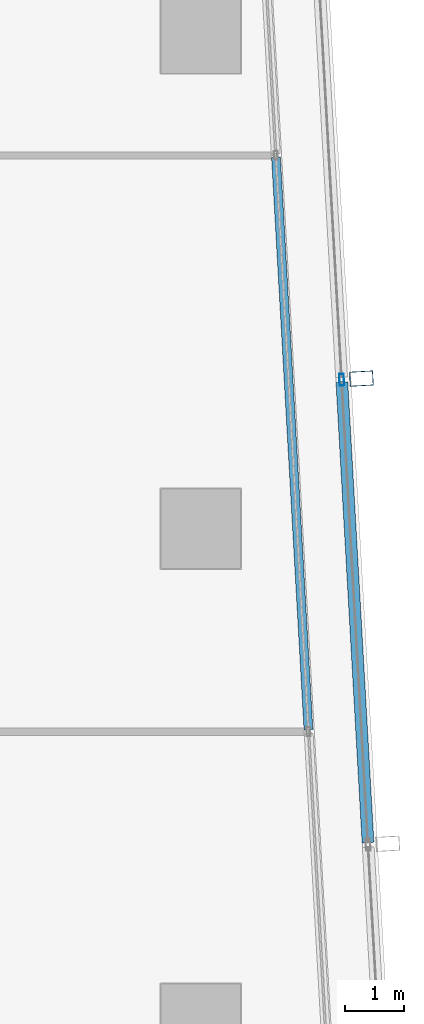
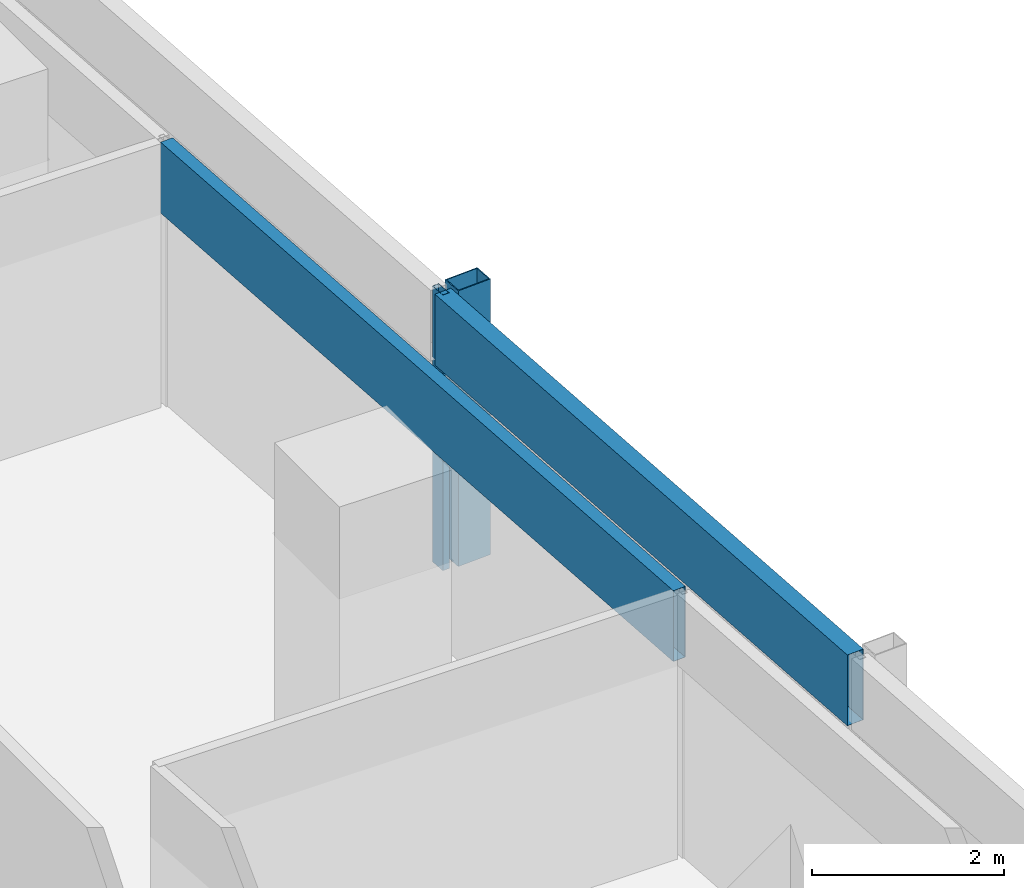
# One storey, part 14 of 39: 4 members, 2 elements without a shape of their own.
"""IFC4 building model written with IfcOpenShell, lengths in metres."""

import ifcopenshell
import ifcopenshell.guid

model = None  # the IFC model being written
_history = None  # IfcOwnerHistory: only IFC2X3 demands one
_inside = {}  # id of a spatial element -> (the spatial element, [elements in it])
_under = {}  # id of a project, library or spatial element -> (it, [spatial elements below it])
_declared = {}  # id of a project -> (the project, [libraries it declares])
_typed = {}  # id of a type object -> (the type object, [elements of that type])
_made_of = {}  # id of a material, layer set ... -> (it, [elements and type objects made of it])


def new_model(schema):
    """Start an empty IFC model of exactly this schema.

    Asked for "IFC4X3", IfcOpenShell would pick the latest addendum, in which some entities
    have other attributes; the version numbers below select the first issue.
    IFC2X3 requires an IfcOwnerHistory on every rooted entity: one is made here for all.
    """
    global model, _history
    if schema == "IFC4X3":
        model = ifcopenshell.file(schema_version=(4, 3, 0, 0))
    else:
        model = ifcopenshell.file(schema=schema)
    _inside.clear()
    _under.clear()
    _declared.clear()
    _typed.clear()
    _made_of.clear()
    _history = None
    if model.schema == "IFC2X3":
        org = make("IfcOrganization", Name="unknown")
        user = make(
            "IfcPersonAndOrganization",
            ThePerson=make("IfcPerson", FamilyName="unknown"),
            TheOrganization=org,
        )
        app = make(
            "IfcApplication",
            ApplicationDeveloper=org,
            Version="unknown",
            ApplicationFullName="unknown",
            ApplicationIdentifier="unknown",
        )
        _history = make(
            "IfcOwnerHistory",
            OwningUser=user,
            OwningApplication=app,
            ChangeAction="ADDED",
            CreationDate=0,
        )
    return model


def make(cls, **values):
    """One entity of the class cls with the attributes given. An attribute that is None is left unset."""
    return model.create_entity(
        cls, **{name: value for name, value in values.items() if value is not None}
    )


def rooted(cls, **values):
    """An entity with a GlobalId (a new one), such as an element, a storey or a relation."""
    return make(cls, GlobalId=ifcopenshell.guid.new(), OwnerHistory=_history, **values)


def si_unit(unit_type, name, prefix=None):
    """IfcSIUnit, for example si_unit("LENGTHUNIT", "METRE", prefix="MILLI")."""
    return make("IfcSIUnit", UnitType=unit_type, Prefix=prefix, Name=name)


def assignment(units):
    """IfcUnitAssignment: the units of a project."""
    return None if units is None else make("IfcUnitAssignment", Units=units)


def point(xyz):
    """IfcCartesianPoint."""
    return None if xyz is None else make("IfcCartesianPoint", Coordinates=xyz)


def direction(xyz):
    """IfcDirection."""
    return None if xyz is None else make("IfcDirection", DirectionRatios=xyz)


def frame(location, z_axis=None, x_axis=None):
    """IfcAxis2Placement3D, a coordinate frame: its origin and axes. An axis left out is left unset."""
    return make(
        "IfcAxis2Placement3D",
        Location=point(location),
        Axis=direction(z_axis),
        RefDirection=direction(x_axis),
    )


def frame_2d(location, x_axis=None):
    """IfcAxis2Placement2D, a coordinate frame in the plane: its origin and x axis."""
    return make(
        "IfcAxis2Placement2D", Location=point(location), RefDirection=direction(x_axis)
    )


def origin():
    """The frame at (0, 0, 0) with its axes left unset."""
    return frame((0.0, 0.0, 0.0))


def origin_2d():
    """The frame at (0, 0) in the plane with its x axis left unset."""
    return frame_2d((0.0, 0.0))


def place(relative_to, where):
    """IfcLocalPlacement: puts the frame where relative to a parent placement (None: the world)."""
    return make(
        "IfcLocalPlacement", PlacementRelTo=relative_to, RelativePlacement=where
    )


def context(
    kind, dimensions, precision=None, world=None, true_north=None, identifier=None
):
    """IfcGeometricRepresentationContext, for example the 3D "Model" context."""
    return make(
        "IfcGeometricRepresentationContext",
        ContextIdentifier=identifier,
        ContextType=kind,
        CoordinateSpaceDimension=dimensions,
        Precision=precision,
        WorldCoordinateSystem=world,
        TrueNorth=true_north,
    )


def subcontext(parent, identifier, kind, view, scale=None):
    """IfcGeometricRepresentationSubContext, for example "Body" below "Model"."""
    return make(
        "IfcGeometricRepresentationSubContext",
        ContextIdentifier=identifier,
        ContextType=kind,
        ParentContext=parent,
        TargetScale=scale,
        TargetView=view,
    )


def project(units=None, contexts=None):
    """IfcProject with its units and contexts."""
    return rooted(
        "IfcProject",
        Name="project",
        RepresentationContexts=contexts,
        UnitsInContext=assignment(units),
    )


def spatial(cls, under=None, at=None, **own):
    """A site, building, storey or space (cls), placed at a placement, below another one or the project."""
    s = rooted(cls, ObjectPlacement=at, **own)
    if under is not None:
        _under.setdefault(under.id(), (under, []))[1].append(s)
    return s


def profile(cls, at=None, kind="AREA", **sizes):
    """A parametric profile (cls). Its sizes go by their IFC names, for example OverallWidth=200.0."""
    return make(cls, ProfileType=kind, Position=at, **sizes)


def hollow_rectangle(**sizes):
    """IfcRectangleHollowProfileDef."""
    return profile("IfcRectangleHollowProfileDef", **sizes)


def extrude(swept, where, along, depth):
    """IfcExtrudedAreaSolid: the profile swept, set in the frame where, extruded along a direction by depth."""
    return make(
        "IfcExtrudedAreaSolid",
        SweptArea=swept,
        Position=where,
        ExtrudedDirection=direction(along),
        Depth=depth,
    )


def shape(context_of_items, identifier, shape_type, items):
    """IfcShapeRepresentation: the items that make up one representation, for example the "Body"."""
    return make(
        "IfcShapeRepresentation",
        ContextOfItems=context_of_items,
        RepresentationIdentifier=identifier,
        RepresentationType=shape_type,
        Items=items,
    )


def material(Name=None, Category=None):
    """IfcMaterial."""
    return make("IfcMaterial", Name=Name, Category=Category)


def material_profile(
    of_material, cross_section, Name=None, Category=None, Priority=None
):
    """IfcMaterialProfile: a cross section and its material."""
    return make(
        "IfcMaterialProfile",
        Name=Name,
        Material=of_material,
        Profile=cross_section,
        Priority=Priority,
        Category=Category,
    )


def profile_set(profiles, Name=None, composite=None):
    """IfcMaterialProfileSet."""
    return make(
        "IfcMaterialProfileSet",
        Name=Name,
        MaterialProfiles=profiles,
        CompositeProfile=composite,
    )


def made_of(thing, what):
    """Note that an element or type object is made of a material, layer set ...; save() writes the relation."""
    if what is not None:
        _made_of.setdefault(what.id(), (what, []))[1].append(thing)
    return thing


def type_object(cls, material=None, **own):
    """A type object (cls), such as IfcWallType, which elements share."""
    return made_of(rooted(cls, **own), material)


def element(
    cls,
    number,
    at=None,
    inside=None,
    cuts=None,
    type_object=None,
    material=None,
    context=None,
    identifier="Body",
    shape_type=None,
    held_by="IfcProductDefinitionShape",
    body=None,
    shapes=None,
    **own,
):
    """One element of the class cls, such as IfcWall. Its Tag is "e" and its number.

    at: its placement. inside: the storey or other place that contains it. cuts: it is an
    opening in that element (IfcRelVoidsElement). A single representation is given by context,
    identifier, shape_type and body (its items); several are given by shapes. held_by: the class
    of the entity that holds the representations. save() writes the other relations.
    """
    e = rooted(cls, Tag="e%d" % number, ObjectPlacement=at, **own)
    if body is not None:
        shapes = [shape(context, identifier, shape_type, body)]
    if shapes is not None:
        e.Representation = make(held_by, Representations=shapes)
    if inside is not None:
        _inside.setdefault(inside.id(), (inside, []))[1].append(e)
    if cuts is not None:
        rooted(
            "IfcRelVoidsElement", RelatingBuildingElement=cuts, RelatedOpeningElement=e
        )
    if type_object is not None:
        _typed.setdefault(type_object.id(), (type_object, []))[1].append(e)
    return made_of(e, material)


def aggregate(whole, parts):
    """IfcRelAggregates: a whole, such as a stair, and the parts it consists of."""
    return rooted("IfcRelAggregates", RelatingObject=whole, RelatedObjects=parts)


def save(model, path):
    """Write the relations noted so far, then the file.

    IfcRelAggregates (storeys below a building ...), IfcRelContainedInSpatialStructure (elements
    in a storey), IfcRelDefinesByType, IfcRelAssociatesMaterial and IfcRelDeclares: one each for
    every whole, place, type object, material and project.
    """
    for whole, parts in _under.values():
        aggregate(whole, parts)
    for where, things in _inside.values():
        rooted(
            "IfcRelContainedInSpatialStructure",
            RelatedElements=things,
            RelatingStructure=where,
        )
    for kind, things in _typed.values():
        rooted("IfcRelDefinesByType", RelatedObjects=things, RelatingType=kind)
    for what, things in _made_of.values():
        rooted("IfcRelAssociatesMaterial", RelatedObjects=things, RelatingMaterial=what)
    for by, libraries in _declared.values():
        rooted("IfcRelDeclares", RelatingContext=by, RelatedDefinitions=libraries)
    model.write(path)


model = new_model("IFC4")

# Units and contexts
model_context = context("Model", 3, precision=1e-05, world=origin(), true_north=direction((0.0, 1.0)))
body_context = subcontext(model_context, "Body", "Model", "MODEL_VIEW")
ifc_project = project(units=[si_unit("LENGTHUNIT", "METRE"), si_unit("AREAUNIT", "SQUARE_METRE"), si_unit("VOLUMEUNIT", "CUBIC_METRE"), si_unit("PLANEANGLEUNIT", "RADIAN"), si_unit("MASSUNIT", "GRAM", prefix="KILO")], contexts=[model_context])

# Site, building, storey
site_placement = place(None, origin())
site = spatial("IfcSite", under=ifc_project, at=site_placement, CompositionType="ELEMENT")
building_placement = place(site_placement, origin())
building = spatial("IfcBuilding", under=site, at=building_placement, Name="Rekha Terrace Tower", CompositionType="ELEMENT")
storey_placement = place(building_placement, frame((0.0, 0.0, 221.449951171875)))
storey = spatial("IfcBuildingStorey", under=building, at=storey_placement, Name="L56", CompositionType="ELEMENT", Elevation=221.449951171875)

# Curtain wall, member
ifc_material_1 = material(Name="Aluminium framing", Category="aluminium")
curtain_wall_type_1 = type_object("IfcCurtainWallType", Name="CW2 double skin outer glazing", PredefinedType="USERDEFINED", material=ifc_material_1)
curtain_wall_1_placement = place(storey_placement, origin())
curtain_wall_1 = element("IfcCurtainWall", 1, at=curtain_wall_1_placement, inside=storey, type_object=curtain_wall_type_1, Name="CW2 double skin outer glazing", ObjectType="DOUBLE SKIN OUTER GLAZING", PredefinedType="USERDEFINED")
ifc_material_2 = material(Name="Steel S355 with fluorocarbon finish", Category="steel")
ifc_material_profile_1 = material_profile(ifc_material_2, hollow_rectangle(XDim=0.25, YDim=0.39990234375, WallThickness=0.012451171875, at=origin_2d()), Name="RHS400x250x12.5")
ifc_profile_set_1 = profile_set([ifc_material_profile_1], Name="Steel S355 with fluorocarbon finish")
member_type_1 = type_object("IfcMemberType", Name="BL1 facade blade RHS 400 x 250", PredefinedType="USERDEFINED", material=ifc_profile_set_1)
member_1_placement = place(storey_placement, frame((61.528076171875, 44.546630859375, 0.0), z_axis=(0.0, 0.0, 1.0), x_axis=(-0.056673619809, 0.998392758797, 0.0)))
member_1 = element("IfcMember", 2, at=member_1_placement, type_object=member_type_1, Name="Facade blade", ObjectType="FACADE BLADE", PredefinedType="USERDEFINED", context=body_context, shape_type="SweptSolid", body=[
    extrude(hollow_rectangle(XDim=0.25, YDim=0.39990234375, WallThickness=0.012451171875, at=origin_2d()), origin(), (0.0, 0.0, 1.0), 3.5),
])

curtain_wall_type_2 = type_object("IfcCurtainWallType", Name="CW1 double skin inner glazing", PredefinedType="USERDEFINED", material=ifc_material_1)
curtain_wall_2_placement = place(storey_placement, origin())
curtain_wall_2 = element("IfcCurtainWall", 3, at=curtain_wall_2_placement, inside=storey, type_object=curtain_wall_type_2, Name="CW1 double skin inner glazing", ObjectType="DOUBLE SKIN INNER GLAZING", PredefinedType="USERDEFINED")
ifc_material_3 = material(Name="Insulated aluminium spandrel box", Category="aluminium")
ifc_material_profile_2 = material_profile(ifc_material_3, hollow_rectangle(XDim=0.14990234375, YDim=0.89990234375, WallThickness=0.0029296875, at=origin_2d()), Name="AL SPANDREL BOX 150x900")
ifc_profile_set_2 = profile_set([ifc_material_profile_2], Name="Insulated aluminium spandrel box")
member_type_2 = type_object("IfcMemberType", Name="CW1 spandrel transom 150 x 900", PredefinedType="USERDEFINED", material=ifc_profile_set_2)
member_2_placement = place(storey_placement, frame((60.629150390625, 38.588134765625, 3.050048828125), z_axis=(-0.056650211304, 0.998394087302, 0.0), x_axis=(-0.998394087302, -0.056650211304, 0.0)))
member_2 = element("IfcMember", 4, at=member_2_placement, type_object=member_type_2, Name="CW1 spandrel transom 2", ObjectType="TRANSOM", PredefinedType="USERDEFINED", context=body_context, shape_type="SweptSolid", body=[
    extrude(hollow_rectangle(XDim=0.14990234375, YDim=0.89990234375, WallThickness=0.0029296875, at=origin_2d()), origin(), (0.0, 0.0, 1.0), 9.726806640625),
])
aggregate(curtain_wall_2, [member_2])

# Member
ifc_material_4 = material(Name="Aluminium mullion section", Category="aluminium")
ifc_material_profile_3 = material_profile(ifc_material_4, hollow_rectangle(XDim=0.080078125, YDim=0.199951171875, WallThickness=0.00390625, at=origin_2d()), Name="AL RHS 80x200")
ifc_profile_set_3 = profile_set([ifc_material_profile_3], Name="Aluminium mullion section")
member_type_3 = type_object("IfcMemberType", Name="CW2 mullion RHS 80 x 200", PredefinedType="MULLION", material=ifc_profile_set_3)
member_3_placement = place(storey_placement, frame((61.193603515625, 44.527587890625, 0.0), z_axis=(0.0, 0.0, 1.0), x_axis=(-0.998392782919, -0.05667319486, 0.0)))
member_3 = element("IfcMember", 5, at=member_3_placement, type_object=member_type_3, Name="CW2 mullion 3", PredefinedType="MULLION", context=body_context, shape_type="SweptSolid", body=[
    extrude(hollow_rectangle(XDim=0.080078125, YDim=0.199951171875, WallThickness=0.00390625, at=origin_2d()), origin(), (0.0, 0.0, 1.0), 3.5),
])

ifc_material_profile_4 = material_profile(ifc_material_3, hollow_rectangle(XDim=0.199951171875, YDim=0.89990234375, WallThickness=0.0029296875, at=origin_2d()), Name="AL SPANDREL BOX 200x900")
ifc_profile_set_4 = profile_set([ifc_material_profile_4], Name="Insulated aluminium spandrel box")
member_type_4 = type_object("IfcMemberType", Name="CW2 spandrel transom 200 x 900", PredefinedType="USERDEFINED", material=ifc_profile_set_4)
member_4_placement = place(storey_placement, frame((61.63916015625, 36.6767578125, 3.050048828125), z_axis=(-0.056669428082, 0.998392996731, 0.0), x_axis=(-0.998392996731, -0.056669428082, 0.0)))
member_4 = element("IfcMember", 6, at=member_4_placement, type_object=member_type_4, Name="CW2 spandrel transom 2", ObjectType="TRANSOM", PredefinedType="USERDEFINED", context=body_context, shape_type="SweptSolid", body=[
    extrude(hollow_rectangle(XDim=0.199951171875, YDim=0.89990234375, WallThickness=0.0029296875, at=origin_2d()), origin(), (0.0, 0.0, 1.0), 7.823486328125),
])

aggregate(curtain_wall_1, [member_3, member_4, member_1])

save(model, "model.ifc")
